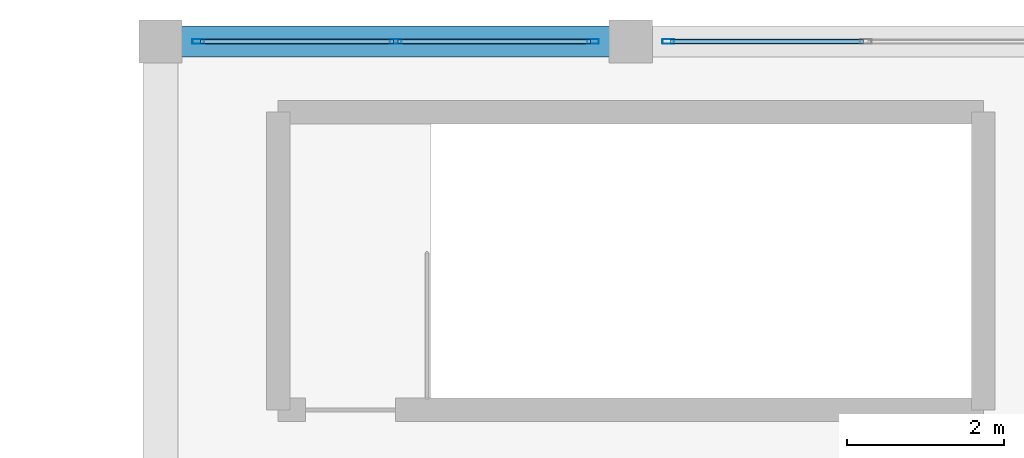
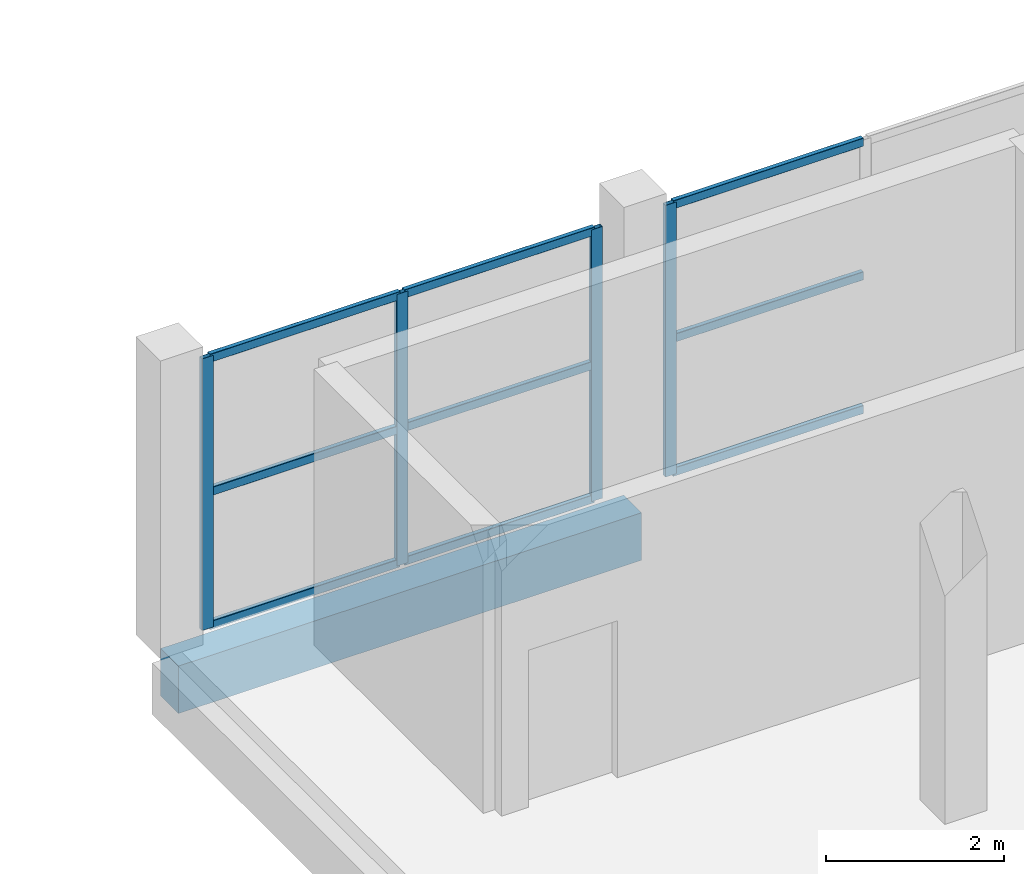
# One storey, part 71 of 127: 13 members, 1 beam, 2 elements without a shape of their own.
"""IFC4 building model written with IfcOpenShell, lengths in metres."""

from ifc_helpers import new_model, si_unit, direction, frame, origin, origin_2d, place, context, subcontext, project, spatial, rectangle, hollow_rectangle, extrude, material, layer, layer_set, material_profile, profile_set, type_object, element, aggregate, save


model = new_model("IFC4")

# Units and contexts
model_context = context("Model", 3, precision=1e-05, world=origin(), true_north=direction((0.0, 1.0)))
body_context = subcontext(model_context, "Body", "Model", "MODEL_VIEW")
ifc_project = project(units=[si_unit("LENGTHUNIT", "METRE"), si_unit("AREAUNIT", "SQUARE_METRE"), si_unit("VOLUMEUNIT", "CUBIC_METRE"), si_unit("PLANEANGLEUNIT", "RADIAN"), si_unit("MASSUNIT", "GRAM", prefix="KILO")], contexts=[model_context])

# Site, building, storey
site_placement = place(None, origin())
site = spatial("IfcSite", under=ifc_project, at=site_placement, CompositionType="ELEMENT")
building_placement = place(site_placement, origin())
building = spatial("IfcBuilding", under=site, at=building_placement, Name="Dunvalen Ferry Terminal", CompositionType="ELEMENT")
storey_placement = place(building_placement, frame((0.0, 0.0, 5.760009765625)))
storey = spatial("IfcBuildingStorey", under=building, at=storey_placement, Name="L01", CompositionType="ELEMENT", Elevation=5.760009765625)

# Curtain wall, members
ifc_material_1 = material(Name="Anodised marine aluminium and solar-control glazing", Category="aluminium")
ifc_layer = layer(ifc_material_1, 0.159912109375, Name="Anodised marine aluminium and solar-control glazing")
ifc_layer_set = layer_set([ifc_layer], Name="Anodised marine aluminium and solar-control glazing")
curtain_wall_type = type_object("IfcCurtainWallType", Name="ENV-CW-SYS-08", PredefinedType="NOTDEFINED", material=ifc_layer_set)
curtain_wall_1_placement = place(storey_placement, origin())
curtain_wall_1 = element("IfcCurtainWall", 1, at=curtain_wall_1_placement, inside=storey, type_object=curtain_wall_type, Name="L01 Curtain Wall CW-BRT2-N-L01-1", PredefinedType="NOTDEFINED")
ifc_material_2 = material(Name="Anodised marine aluminium EN AW-6063 T6", Category="aluminium")
ifc_material_profile_1 = material_profile(ifc_material_2, hollow_rectangle(XDim=0.06005859375, YDim=0.14990234375, WallThickness=0.00341796875, InnerFilletRadius=0.00341796875, OuterFilletRadius=0.007080078125, at=origin_2d()), Name="Anodised marine aluminium EN AW-6063 T6")
ifc_profile_set_1 = profile_set([ifc_material_profile_1], Name="Anodised marine aluminium EN AW-6063 T6")
member_type_1 = type_object("IfcMemberType", Name="ENV-CW-MUL-3", PredefinedType="MULLION", material=ifc_profile_set_1)
member_1_placement = place(storey_placement, frame((120.47998046875, 115.199951171875, 0.0), z_axis=(0.0, 0.0, 1.0), x_axis=(0.0, 1.0, 0.0)))
member_1 = element("IfcMember", 2, at=member_1_placement, type_object=member_type_1, Name="CW-08 mullion 1", PredefinedType="MULLION", context=body_context, shape_type="SweptSolid", body=[
    extrude(hollow_rectangle(XDim=0.06005859375, YDim=0.14990234375, WallThickness=0.00341796875, InnerFilletRadius=0.00341796875, OuterFilletRadius=0.007080078125, at=origin_2d()), origin(), (0.0, 0.0, 1.0), 3.719970703125),
])
member_2_placement = place(storey_placement, frame((123.0, 115.199951171875, 0.0), z_axis=(0.0, 0.0, 1.0), x_axis=(0.0, 1.0, 0.0)))
member_2 = element("IfcMember", 3, at=member_2_placement, type_object=member_type_1, Name="CW-08 mullion 2", PredefinedType="MULLION", context=body_context, shape_type="SweptSolid", body=[
    extrude(hollow_rectangle(XDim=0.06005859375, YDim=0.14990234375, WallThickness=0.00341796875, InnerFilletRadius=0.00341796875, OuterFilletRadius=0.007080078125, at=origin_2d()), origin(), (0.0, 0.0, 1.0), 3.719970703125),
])
member_3_placement = place(storey_placement, frame((125.52001953125, 115.199951171875, 0.0), z_axis=(0.0, 0.0, 1.0), x_axis=(0.0, 1.0, 0.0)))
member_3 = element("IfcMember", 4, at=member_3_placement, type_object=member_type_1, Name="CW-08 mullion 3", PredefinedType="MULLION", context=body_context, shape_type="SweptSolid", body=[
    extrude(hollow_rectangle(XDim=0.06005859375, YDim=0.14990234375, WallThickness=0.00341796875, InnerFilletRadius=0.00341796875, OuterFilletRadius=0.007080078125, at=origin_2d()), origin(), (0.0, 0.0, 1.0), 3.719970703125),
])

# Curtain wall, member
curtain_wall_2_placement = place(storey_placement, origin())
curtain_wall_2 = element("IfcCurtainWall", 5, at=curtain_wall_2_placement, inside=storey, type_object=curtain_wall_type, Name="L01 Curtain Wall CW-BRT2-N-L01-2", PredefinedType="NOTDEFINED")
member_4_placement = place(storey_placement, frame((126.47998046875, 115.199951171875, 0.0), z_axis=(0.0, 0.0, 1.0), x_axis=(0.0, 1.0, 0.0)))
member_4 = element("IfcMember", 6, at=member_4_placement, type_object=member_type_1, Name="CW-08 mullion 1", PredefinedType="MULLION", context=body_context, shape_type="SweptSolid", body=[
    extrude(hollow_rectangle(XDim=0.06005859375, YDim=0.14990234375, WallThickness=0.00341796875, InnerFilletRadius=0.00341796875, OuterFilletRadius=0.007080078125, at=origin_2d()), origin(), (0.0, 0.0, 1.0), 3.719970703125),
])

# Member
ifc_material_profile_2 = material_profile(ifc_material_2, hollow_rectangle(XDim=0.06005859375, YDim=0.114990234375, WallThickness=0.0029296875, InnerFilletRadius=0.0029296875, OuterFilletRadius=0.006103515625, at=origin_2d()), Name="Anodised marine aluminium EN AW-6063 T6")
ifc_profile_set_2 = profile_set([ifc_material_profile_2], Name="Anodised marine aluminium EN AW-6063 T6")
member_type_2 = type_object("IfcMemberType", Name="ENV-CW-TRN-3", PredefinedType="USERDEFINED", material=ifc_profile_set_2)
member_5_placement = place(storey_placement, frame((120.510009765625, 115.199951171875, 0.030029296875), z_axis=(1.0, 0.0, 0.0), x_axis=(0.0, 1.0, 0.0)))
member_5 = element("IfcMember", 7, at=member_5_placement, type_object=member_type_2, Name="CW-08 transom 1.1", ObjectType="TRANSOM", PredefinedType="USERDEFINED", context=body_context, shape_type="SweptSolid", body=[
    extrude(hollow_rectangle(XDim=0.06005859375, YDim=0.114990234375, WallThickness=0.0029296875, InnerFilletRadius=0.0029296875, OuterFilletRadius=0.006103515625, at=origin_2d()), origin(), (0.0, 0.0, 1.0), 2.4599609375),
])

member_6_placement = place(storey_placement, frame((120.510009765625, 115.199951171875, 1.860107421875), z_axis=(1.0, 0.0, 0.0), x_axis=(0.0, 1.0, 0.0)))
member_6 = element("IfcMember", 8, at=member_6_placement, type_object=member_type_2, Name="CW-08 transom 1.2", ObjectType="TRANSOM", PredefinedType="USERDEFINED", context=body_context, shape_type="SweptSolid", body=[
    extrude(hollow_rectangle(XDim=0.06005859375, YDim=0.114990234375, WallThickness=0.0029296875, InnerFilletRadius=0.0029296875, OuterFilletRadius=0.006103515625, at=origin_2d()), origin(), (0.0, 0.0, 1.0), 2.4599609375),
])

member_7_placement = place(storey_placement, frame((120.510009765625, 115.199951171875, 3.68994140625), z_axis=(1.0, 0.0, 0.0), x_axis=(0.0, 1.0, 0.0)))
member_7 = element("IfcMember", 9, at=member_7_placement, type_object=member_type_2, Name="CW-08 transom 1.3", ObjectType="TRANSOM", PredefinedType="USERDEFINED", context=body_context, shape_type="SweptSolid", body=[
    extrude(hollow_rectangle(XDim=0.06005859375, YDim=0.114990234375, WallThickness=0.0029296875, InnerFilletRadius=0.0029296875, OuterFilletRadius=0.006103515625, at=origin_2d()), origin(), (0.0, 0.0, 1.0), 2.4599609375),
])

member_8_placement = place(storey_placement, frame((123.030029296875, 115.199951171875, 0.030029296875), z_axis=(1.0, 0.0, 0.0), x_axis=(0.0, 1.0, 0.0)))
member_8 = element("IfcMember", 10, at=member_8_placement, type_object=member_type_2, Name="CW-08 transom 2.1", ObjectType="TRANSOM", PredefinedType="USERDEFINED", context=body_context, shape_type="SweptSolid", body=[
    extrude(hollow_rectangle(XDim=0.06005859375, YDim=0.114990234375, WallThickness=0.0029296875, InnerFilletRadius=0.0029296875, OuterFilletRadius=0.006103515625, at=origin_2d()), origin(), (0.0, 0.0, 1.0), 2.4599609375),
])

member_9_placement = place(storey_placement, frame((123.030029296875, 115.199951171875, 1.860107421875), z_axis=(1.0, 0.0, 0.0), x_axis=(0.0, 1.0, 0.0)))
member_9 = element("IfcMember", 11, at=member_9_placement, type_object=member_type_2, Name="CW-08 transom 2.2", ObjectType="TRANSOM", PredefinedType="USERDEFINED", context=body_context, shape_type="SweptSolid", body=[
    extrude(hollow_rectangle(XDim=0.06005859375, YDim=0.114990234375, WallThickness=0.0029296875, InnerFilletRadius=0.0029296875, OuterFilletRadius=0.006103515625, at=origin_2d()), origin(), (0.0, 0.0, 1.0), 2.4599609375),
])

member_10_placement = place(storey_placement, frame((123.030029296875, 115.199951171875, 3.68994140625), z_axis=(1.0, 0.0, 0.0), x_axis=(0.0, 1.0, 0.0)))
member_10 = element("IfcMember", 12, at=member_10_placement, type_object=member_type_2, Name="CW-08 transom 2.3", ObjectType="TRANSOM", PredefinedType="USERDEFINED", context=body_context, shape_type="SweptSolid", body=[
    extrude(hollow_rectangle(XDim=0.06005859375, YDim=0.114990234375, WallThickness=0.0029296875, InnerFilletRadius=0.0029296875, OuterFilletRadius=0.006103515625, at=origin_2d()), origin(), (0.0, 0.0, 1.0), 2.4599609375),
])

aggregate(curtain_wall_1, [member_1, member_2, member_3, member_5, member_6, member_7, member_8, member_9, member_10])

member_11_placement = place(storey_placement, frame((126.510009765625, 115.199951171875, 0.030029296875), z_axis=(1.0, 0.0, 0.0), x_axis=(0.0, 1.0, 0.0)))
member_11 = element("IfcMember", 13, at=member_11_placement, type_object=member_type_2, Name="CW-08 transom 1.1", ObjectType="TRANSOM", PredefinedType="USERDEFINED", context=body_context, shape_type="SweptSolid", body=[
    extrude(hollow_rectangle(XDim=0.06005859375, YDim=0.114990234375, WallThickness=0.0029296875, InnerFilletRadius=0.0029296875, OuterFilletRadius=0.006103515625, at=origin_2d()), origin(), (0.0, 0.0, 1.0), 2.4599609375),
])

member_12_placement = place(storey_placement, frame((126.510009765625, 115.199951171875, 1.860107421875), z_axis=(1.0, 0.0, 0.0), x_axis=(0.0, 1.0, 0.0)))
member_12 = element("IfcMember", 14, at=member_12_placement, type_object=member_type_2, Name="CW-08 transom 1.2", ObjectType="TRANSOM", PredefinedType="USERDEFINED", context=body_context, shape_type="SweptSolid", body=[
    extrude(hollow_rectangle(XDim=0.06005859375, YDim=0.114990234375, WallThickness=0.0029296875, InnerFilletRadius=0.0029296875, OuterFilletRadius=0.006103515625, at=origin_2d()), origin(), (0.0, 0.0, 1.0), 2.4599609375),
])

member_13_placement = place(storey_placement, frame((126.510009765625, 115.199951171875, 3.68994140625), z_axis=(1.0, 0.0, 0.0), x_axis=(0.0, 1.0, 0.0)))
member_13 = element("IfcMember", 15, at=member_13_placement, type_object=member_type_2, Name="CW-08 transom 1.3", ObjectType="TRANSOM", PredefinedType="USERDEFINED", context=body_context, shape_type="SweptSolid", body=[
    extrude(hollow_rectangle(XDim=0.06005859375, YDim=0.114990234375, WallThickness=0.0029296875, InnerFilletRadius=0.0029296875, OuterFilletRadius=0.006103515625, at=origin_2d()), origin(), (0.0, 0.0, 1.0), 2.4599609375),
])

aggregate(curtain_wall_2, [member_4, member_11, member_12, member_13])

# Beam
ifc_material_3 = material(Name="Concrete C40/50", Category="concrete")
ifc_material_profile_3 = material_profile(ifc_material_3, rectangle(XDim=0.39990234375, YDim=0.64990234375, at=origin_2d()), Name="Concrete C40/50")
ifc_profile_set_3 = profile_set([ifc_material_profile_3], Name="Concrete C40/50")
beam_type = type_object("IfcBeamType", Name="STR-BM-RCB650", PredefinedType="BEAM", material=ifc_profile_set_3)
beam_placement = place(storey_placement, frame((120.0, 115.199951171875, -0.56494140625), z_axis=(1.0, 0.0, 0.0), x_axis=(0.0, 1.0, 0.0)))
element("IfcBeam", 16, at=beam_placement, inside=storey, type_object=beam_type, Name="L01 V3B2 Primary Beam X-009", PredefinedType="BEAM", context=body_context, shape_type="SweptSolid", body=[
    extrude(rectangle(XDim=0.39990234375, YDim=0.64990234375, at=origin_2d()), origin(), (0.0, 0.0, 1.0), 6.0),
])

save(model, "model.ifc")
